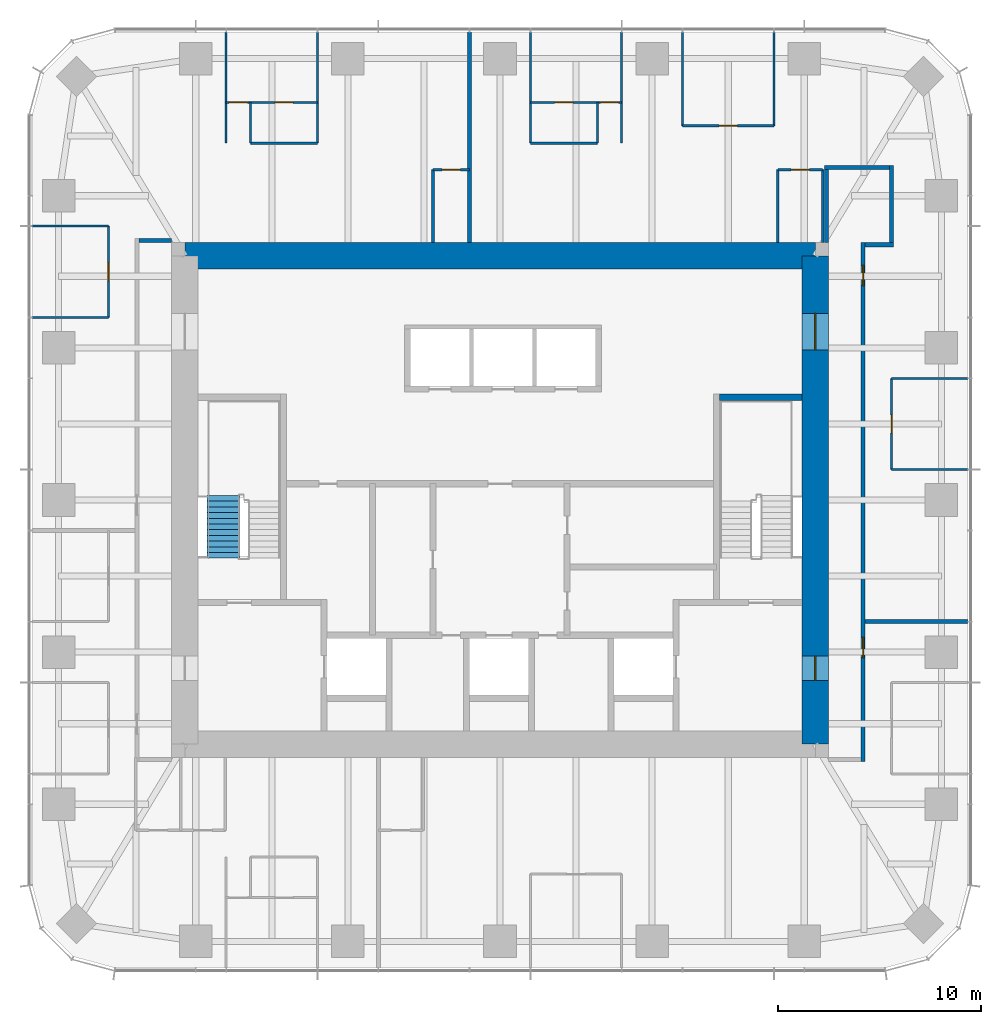
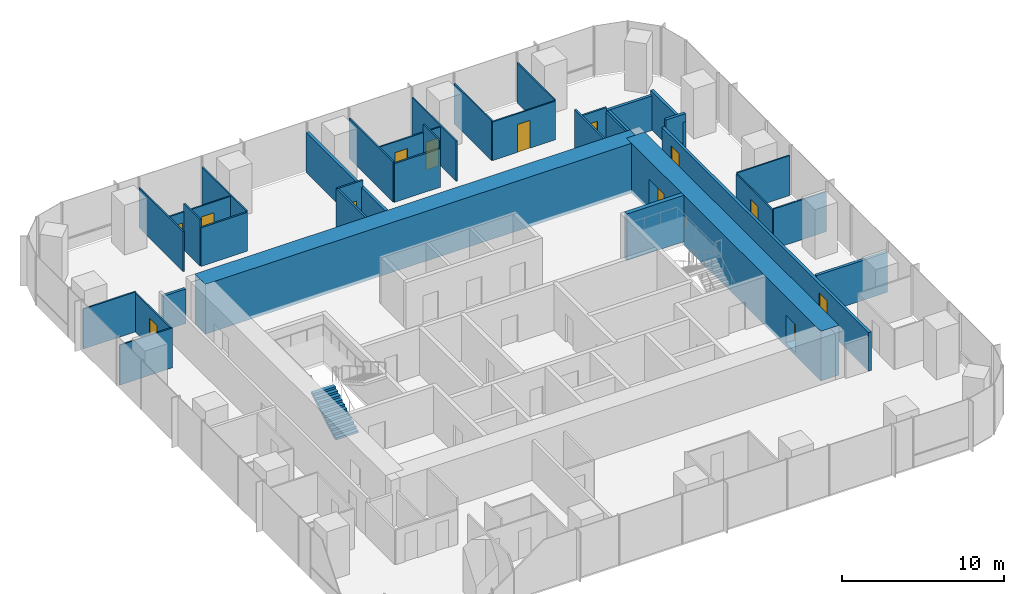
# One storey, part 10 of 12: 35 walls, 13 doors, 1 stair flight, 13 openings, 1 element without a shape of its own.
"""IFC4 building model written with IfcOpenShell, lengths in metres."""

from ifc_helpers import new_model, si_unit, direction, frame, frame_2d, origin, place, context, subcontext, project, spatial, polyline, rectangle, outline, extrude, material, layer, layer_set, type_object, element, fill, aggregate, save


model = new_model("IFC4")

# Units and contexts
model_context = context("Model", 3, precision=1e-05, world=origin(), true_north=direction((0.0, 1.0)))
body_context = subcontext(model_context, "Body", "Model", "MODEL_VIEW")
ifc_project = project(units=[si_unit("LENGTHUNIT", "METRE"), si_unit("AREAUNIT", "SQUARE_METRE"), si_unit("VOLUMEUNIT", "CUBIC_METRE"), si_unit("PLANEANGLEUNIT", "RADIAN"), si_unit("MASSUNIT", "GRAM", prefix="KILO")], contexts=[model_context])

# Site, building, storey
site_placement = place(None, origin())
site = spatial("IfcSite", under=ifc_project, at=site_placement, CompositionType="ELEMENT")
building_placement = place(site_placement, origin())
building = spatial("IfcBuilding", under=site, at=building_placement, Name="Khuree Lantern Residences", CompositionType="ELEMENT")
storey_placement = place(building_placement, frame((0.0, 0.0, 334.5)))
storey = spatial("IfcBuildingStorey", under=building, at=storey_placement, Name="L84", CompositionType="ELEMENT", Elevation=334.5)

# Wall
ifc_material_1 = material(Name="Moisture-resistant gypsum board on steel studs", Category="steel")
ifc_layer_1 = layer(ifc_material_1, 0.125)
ifc_layer_set_1 = layer_set([ifc_layer_1], Name="BATHROOM WALL BTW125")
wall_type_1 = type_object("IfcWallType", Name="BATHROOM WALL BTW125", PredefinedType="PARTITIONING", material=ifc_layer_set_1)
wall_1_placement = place(storey_placement, frame((4.783935546875, 17.54638671875, 0.0), z_axis=(0.0, 0.0, 1.0), x_axis=(-1.0, 0.0, 0.0)))
element("IfcWall", 1, at=wall_1_placement, inside=storey, type_object=wall_type_1, Name="L84 BATHROOM WALL 01", PredefinedType="PARTITIONING", context=body_context, shape_type="SweptSolid", body=[
    extrude(rectangle(XDim=3.287841796875, YDim=0.125, at=frame_2d((1.64404296875, 0.0))), origin(), (0.0, 0.0, 1.0), 2.909912109375),
])

# Wall, opening, door
wall_2_placement = place(storey_placement, frame((15.866455078125, 16.246337890625, 0.0), z_axis=(0.0, 0.0, 1.0), x_axis=(-1.0, 0.0, 0.0)))
wall_2 = element("IfcWall", 2, at=wall_2_placement, inside=storey, type_object=wall_type_1, Name="L84 BATHROOM WALL 01", PredefinedType="PARTITIONING", context=body_context, shape_type="SweptSolid", body=[
    extrude(rectangle(XDim=2.199951171875, YDim=0.125, at=frame_2d((1.10009765625, 0.0))), origin(), (0.0, 0.0, 1.0), 2.89990234375),
])
opening_1_placement = place(wall_2_placement, frame((0.64990234375, 0.0, 0.0)))
opening_1 = element("IfcOpeningElement", 3, at=opening_1_placement, cuts=wall_2, Name="Opening 84-024", PredefinedType="OPENING", context=body_context, shape_type="SweptSolid", body=[
    extrude(rectangle(XDim=0.89990234375, YDim=2.10009765625, at=frame_2d((0.449951171875, 1.050048828125))), frame((0.0, 0.072509765625, 0.0), z_axis=(0.0, -1.0, 0.0), x_axis=(1.0, 0.0, 0.0)), (0.0, 0.0, 1.0), 0.14501953125),
])
ifc_material_2 = material(Name="Timber door leaf in hardwood frame", Category="wood")
door_type_1 = type_object("IfcDoorType", Name="BATHROOM DOOR 900X2100", OperationType="SINGLE_SWING_LEFT", PredefinedType="DOOR", material=ifc_material_2)
door_1_placement = place(opening_1_placement, origin())
door_1 = element("IfcDoor", 4, at=door_1_placement, inside=storey, type_object=door_type_1, Name="Bathroom door 84-024", OperationType="SINGLE_SWING_LEFT", OverallHeight=2.10009765625, OverallWidth=0.89990234375, PredefinedType="DOOR", context=body_context, shape_type="SweptSolid", body=[
    extrude(rectangle(XDim=0.89990234375, YDim=2.10009765625, at=frame_2d((0.449951171875, 1.050048828125))), frame((0.0, 0.02490234375, 0.0), z_axis=(0.0, -1.0, 0.0), x_axis=(1.0, 0.0, 0.0)), (0.0, 0.0, 1.0), 0.050048828125),
])
fill(opening_1, door_1)

# Walls
wall_3_placement = place(storey_placement, frame((15.866455078125, 12.64990234375, 0.0), z_axis=(0.0, 0.0, 1.0), x_axis=(0.0, 1.0, 0.0)))
element("IfcWall", 5, at=wall_3_placement, inside=storey, type_object=wall_type_1, Name="L84 BATHROOM WALL 01", PredefinedType="PARTITIONING", context=body_context, shape_type="SweptSolid", body=[
    extrude(rectangle(XDim=3.596435546875, YDim=0.125, at=frame_2d((1.79833984375, 0.0))), origin(), (0.0, 0.0, 1.0), 2.60009765625),
])
wall_4_placement = place(storey_placement, frame((13.66650390625, 12.64990234375, 0.0), z_axis=(0.0, 0.0, 1.0), x_axis=(0.0, 1.0, 0.0)))
element("IfcWall", 6, at=wall_4_placement, inside=storey, type_object=wall_type_1, Name="L84 BATHROOM WALL 01", PredefinedType="PARTITIONING", context=body_context, shape_type="SweptSolid", body=[
    extrude(rectangle(XDim=3.596435546875, YDim=0.125, at=frame_2d((1.79833984375, 0.0))), origin(), (0.0, 0.0, 1.0), 3.5),
])
wall_5_placement = place(storey_placement, frame((-8.97607421875, 17.54638671875, 0.0), z_axis=(0.0, 0.0, 1.0), x_axis=(-1.0, 0.0, 0.0)))
element("IfcWall", 7, at=wall_5_placement, inside=storey, type_object=wall_type_1, Name="L84 BATHROOM WALL 02", PredefinedType="PARTITIONING", context=body_context, shape_type="SweptSolid", body=[
    extrude(rectangle(XDim=3.287841796875, YDim=0.125, at=frame_2d((1.64404296875, 0.0))), origin(), (0.0, 0.0, 1.0), 2.909912109375),
])

# Wall, opening, door
wall_6_placement = place(storey_placement, frame((-1.49609375, 16.246337890625, 0.0), z_axis=(0.0, 0.0, 1.0), x_axis=(-1.0, 0.0, 0.0)))
wall_6 = element("IfcWall", 8, at=wall_6_placement, inside=storey, type_object=wall_type_1, Name="L84 BATHROOM WALL 02", PredefinedType="PARTITIONING", context=body_context, shape_type="SweptSolid", body=[
    extrude(rectangle(XDim=1.7998046875, YDim=0.125, at=frame_2d((0.89990234375, 0.0))), origin(), (0.0, 0.0, 1.0), 3.5),
])
opening_2_placement = place(wall_6_placement, frame((0.449951171875, 0.0, 0.0)))
opening_2 = element("IfcOpeningElement", 9, at=opening_2_placement, cuts=wall_6, Name="Opening 84-029", PredefinedType="OPENING", context=body_context, shape_type="SweptSolid", body=[
    extrude(rectangle(XDim=0.89990234375, YDim=2.10009765625, at=frame_2d((0.449951171875, 1.050048828125))), frame((0.0, 0.072509765625, 0.0), z_axis=(0.0, -1.0, 0.0), x_axis=(1.0, 0.0, 0.0)), (0.0, 0.0, 1.0), 0.14501953125),
])
door_2_placement = place(opening_2_placement, origin())
door_2 = element("IfcDoor", 10, at=door_2_placement, inside=storey, type_object=door_type_1, Name="Bathroom door 84-029", OperationType="SINGLE_SWING_LEFT", OverallHeight=2.10009765625, OverallWidth=0.89990234375, PredefinedType="DOOR", context=body_context, shape_type="SweptSolid", body=[
    extrude(rectangle(XDim=0.89990234375, YDim=2.10009765625, at=frame_2d((0.449951171875, 1.050048828125))), frame((0.0, 0.02490234375, 0.0), z_axis=(0.0, -1.0, 0.0), x_axis=(1.0, 0.0, 0.0)), (0.0, 0.0, 1.0), 0.050048828125),
])
fill(opening_2, door_2)

# Walls
wall_7_placement = place(storey_placement, frame((-3.2958984375, 12.64990234375, 0.0), z_axis=(0.0, 0.0, 1.0), x_axis=(0.0, 1.0, 0.0)))
element("IfcWall", 11, at=wall_7_placement, inside=storey, type_object=wall_type_1, Name="L84 BATHROOM WALL 02", PredefinedType="PARTITIONING", context=body_context, shape_type="SweptSolid", body=[
    extrude(rectangle(XDim=3.596435546875, YDim=0.125, at=frame_2d((1.79833984375, 0.0))), origin(), (0.0, 0.0, 1.0), 3.5),
])
ifc_material_3 = material(Name="Gypsum board on steel studs", Category="steel")
ifc_layer_2 = layer(ifc_material_3, 0.199951171875)
ifc_layer_set_2 = layer_set([ifc_layer_2], Name="CORRIDOR WALL CRW200 EI 60")
wall_type_2 = type_object("IfcWallType", Name="CORRIDOR WALL CRW200 EI 60", PredefinedType="PARTITIONING", material=ifc_layer_set_2)
wall_8_placement = place(storey_placement, frame((17.949951171875, 12.550048828125, 0.0), z_axis=(0.0, 0.0, 1.0), x_axis=(1.0, 0.0, 0.0)))
element("IfcWall", 12, at=wall_8_placement, inside=storey, type_object=wall_type_2, Name="L84 RESIDENTS LOUNGE WALL", PredefinedType="PARTITIONING", context=body_context, shape_type="SweptSolid", body=[
    extrude(rectangle(XDim=1.400146484375, YDim=0.199951171875, at=frame_2d((0.7001953125, 0.0))), origin(), (0.0, 0.0, 1.0), 3.5),
])
wall_9_placement = place(storey_placement, frame((19.25, 12.449951171875, 0.0), z_axis=(0.0, 0.0, 1.0), x_axis=(0.0, 1.0, 0.0)))
element("IfcWall", 13, at=wall_9_placement, inside=storey, type_object=wall_type_2, Name="L84 RESIDENTS LOUNGE WALL", PredefinedType="PARTITIONING", context=body_context, shape_type="SweptSolid", body=[
    extrude(rectangle(XDim=4.0, YDim=0.199951171875, at=frame_2d((2.0, 0.0))), origin(), (0.0, 0.0, 1.0), 2.89990234375),
])
wall_10_placement = place(storey_placement, frame((19.14990234375, 16.35009765625, 0.0), z_axis=(0.0, 0.0, 1.0), x_axis=(-1.0, 0.0, 0.0)))
element("IfcWall", 14, at=wall_10_placement, inside=storey, type_object=wall_type_2, Name="L84 RESIDENTS LOUNGE WALL", PredefinedType="PARTITIONING", context=body_context, shape_type="SweptSolid", body=[
    extrude(rectangle(XDim=3.199951171875, YDim=0.199951171875, at=frame_2d((1.60009765625, 0.0))), origin(), (0.0, 0.0, 1.0), 2.60009765625),
])
wall_11_placement = place(storey_placement, frame((16.050048828125, 16.449951171875, 0.0), z_axis=(0.0, 0.0, 1.0), x_axis=(0.0, -1.0, 0.0)))
element("IfcWall", 15, at=wall_11_placement, inside=storey, type_object=wall_type_2, Name="L84 RESIDENTS LOUNGE WALL", PredefinedType="PARTITIONING", context=body_context, shape_type="SweptSolid", body=[
    extrude(rectangle(XDim=3.800048828125, YDim=0.199951171875, at=frame_2d((1.89990234375, 0.0))), origin(), (0.0, 0.0, 1.0), 2.60009765625),
])
wall_12_placement = place(storey_placement, frame((-16.14990234375, 12.75, 0.0), z_axis=(0.0, 0.0, 1.0), x_axis=(-1.0, 0.0, 0.0)))
element("IfcWall", 16, at=wall_12_placement, inside=storey, type_object=wall_type_2, Name="L84 WEST CORRIDOR NORTH END WALL", PredefinedType="PARTITIONING", context=body_context, shape_type="SweptSolid", body=[
    extrude(rectangle(XDim=1.60009765625, YDim=0.199951171875, at=frame_2d((0.800048828125, 0.0))), origin(), (0.0, 0.0, 1.0), 2.60009765625),
])

# Wall, openings, doors
wall_13_placement = place(storey_placement, frame((17.85009765625, -12.85009765625, 0.0), z_axis=(0.0, 0.0, 1.0), x_axis=(0.0, 1.0, 0.0)))
wall_13 = element("IfcWall", 17, at=wall_13_placement, inside=storey, type_object=wall_type_2, Name="L84 CORRIDOR WALL EAST 1", PredefinedType="PARTITIONING", context=body_context, shape_type="SweptSolid", body=[
    extrude(rectangle(XDim=25.5, YDim=0.199951171875, at=frame_2d((12.75, 0.0))), origin(), (0.0, 0.0, 1.0), 2.89990234375),
])
opening_3_placement = place(wall_13_placement, frame((23.385986328125, 0.0, 0.0)))
opening_3 = element("IfcOpeningElement", 18, at=opening_3_placement, cuts=wall_13, Name="Opening 84-025", PredefinedType="OPENING", context=body_context, shape_type="SweptSolid", body=[
    extrude(rectangle(XDim=1.0, YDim=2.199951171875, at=frame_2d((0.5, 1.10009765625))), frame((0.0, 0.10986328125, 0.0), z_axis=(0.0, -1.0, 0.0), x_axis=(1.0, 0.0, 0.0)), (0.0, 0.0, 1.0), 0.219970703125),
])
opening_4_placement = place(wall_13_placement, frame((5.10009765625, 0.0, 0.0)))
opening_4 = element("IfcOpeningElement", 19, at=opening_4_placement, cuts=wall_13, Name="Opening 84-041", PredefinedType="OPENING", context=body_context, shape_type="SweptSolid", body=[
    extrude(rectangle(XDim=1.0, YDim=2.199951171875, at=frame_2d((0.5, 1.10009765625))), frame((0.0, 0.10986328125, 0.0), z_axis=(0.0, -1.0, 0.0), x_axis=(1.0, 0.0, 0.0)), (0.0, 0.0, 1.0), 0.219970703125),
])
door_type_2 = type_object("IfcDoorType", Name="APARTMENT ENTRANCE DOOR 1000X2200 EI 30S", OperationType="SINGLE_SWING_LEFT", PredefinedType="DOOR", material=ifc_material_2)
door_3_placement = place(opening_3_placement, origin())
door_3 = element("IfcDoor", 20, at=door_3_placement, inside=storey, type_object=door_type_2, Name="Apartment 01 entrance door 84-025", OperationType="SINGLE_SWING_LEFT", OverallHeight=2.199951171875, OverallWidth=1.0, PredefinedType="DOOR", context=body_context, shape_type="SweptSolid", body=[
    extrude(rectangle(XDim=1.0, YDim=2.199951171875, at=frame_2d((0.5, 1.10009765625))), frame((0.0, 0.02490234375, 0.0), z_axis=(0.0, -1.0, 0.0), x_axis=(1.0, 0.0, 0.0)), (0.0, 0.0, 1.0), 0.050048828125),
])
fill(opening_3, door_3)
door_4_placement = place(opening_4_placement, origin())
door_4 = element("IfcDoor", 21, at=door_4_placement, inside=storey, type_object=door_type_2, Name="Apartment 04 entrance door 84-041", OperationType="SINGLE_SWING_LEFT", OverallHeight=2.199951171875, OverallWidth=1.0, PredefinedType="DOOR", context=body_context, shape_type="SweptSolid", body=[
    extrude(rectangle(XDim=1.0, YDim=2.199951171875, at=frame_2d((0.5, 1.10009765625))), frame((0.0, 0.02490234375, 0.0), z_axis=(0.0, -1.0, 0.0), x_axis=(1.0, 0.0, 0.0)), (0.0, 0.0, 1.0), 0.050048828125),
])
fill(opening_4, door_4)

ifc_material_4 = material(Name="Concrete C50/60", Category="concrete")
ifc_layer_3 = layer(ifc_material_4, 1.300048828125)
ifc_layer_set_3 = layer_set([ifc_layer_3], Name="CW1300-C50 CORE WALL C50 1300")
wall_type_3 = type_object("IfcWallType", Name="CW1300-C50 CORE WALL C50 1300", PredefinedType="SHEAR", material=ifc_layer_set_3)
wall_14_placement = place(storey_placement, frame((15.5, -12.0, -0.25), z_axis=(0.0, 0.0, 1.0), x_axis=(0.0, 1.0, 0.0)))
wall_14 = element("IfcWall", 22, at=wall_14_placement, inside=storey, type_object=wall_type_3, Name="Core wall E", PredefinedType="SHEAR", context=body_context, shape_type="SweptSolid", body=[
    extrude(rectangle(XDim=24.0, YDim=1.300048828125, at=frame_2d((12.0, 0.0))), origin(), (0.0, 0.0, 1.0), 3.75),
])
opening_5_placement = place(wall_14_placement, frame((3.125, 0.0, 0.25)))
opening_5 = element("IfcOpeningElement", 23, at=opening_5_placement, cuts=wall_14, Name="Opening 84-005", PredefinedType="OPENING", context=body_context, shape_type="SweptSolid", body=[
    extrude(rectangle(XDim=1.199951171875, YDim=2.10009765625, at=frame_2d((0.60009765625, 1.050048828125))), frame((0.0, 0.66015625, 0.0), z_axis=(0.0, -1.0, 0.0), x_axis=(1.0, 0.0, 0.0)), (0.0, 0.0, 1.0), 1.320068359375),
])
opening_6_placement = place(wall_14_placement, frame((19.375, 0.0, 0.25)))
opening_6 = element("IfcOpeningElement", 24, at=opening_6_placement, cuts=wall_14, Name="Opening 84-006", PredefinedType="OPENING", context=body_context, shape_type="SweptSolid", body=[
    extrude(rectangle(XDim=1.800048828125, YDim=2.10009765625, at=frame_2d((0.89990234375, 1.050048828125))), frame((0.0, 0.66015625, 0.0), z_axis=(0.0, -1.0, 0.0), x_axis=(1.0, 0.0, 0.0)), (0.0, 0.0, 1.0), 1.320068359375),
])
ifc_material_5 = material(Name="Steel door leaf in steel frame", Category="steel")
door_type_3 = type_object("IfcDoorType", Name="LOBBY DOOR 1200X2100 EI 120", OperationType="SINGLE_SWING_LEFT", PredefinedType="DOOR", material=ifc_material_5)
door_5_placement = place(opening_5_placement, origin())
door_5 = element("IfcDoor", 25, at=door_5_placement, inside=storey, type_object=door_type_3, Name="Firefighting lobby door 84-005", OperationType="SINGLE_SWING_LEFT", OverallHeight=2.10009765625, OverallWidth=1.199951171875, PredefinedType="DOOR", context=body_context, shape_type="SweptSolid", body=[
    extrude(rectangle(XDim=1.199951171875, YDim=2.10009765625, at=frame_2d((0.60009765625, 1.050048828125))), frame((0.0, 0.02490234375, 0.0), z_axis=(0.0, -1.0, 0.0), x_axis=(1.0, 0.0, 0.0)), (0.0, 0.0, 1.0), 0.050048828125),
])
fill(opening_5, door_5)
door_type_4 = type_object("IfcDoorType", Name="LOBBY DOUBLE DOOR 1800X2100 EI 60", OperationType="DOUBLE_DOOR_SINGLE_SWING", PredefinedType="DOOR", material=ifc_material_5)
door_6_placement = place(opening_6_placement, origin())
door_6 = element("IfcDoor", 26, at=door_6_placement, inside=storey, type_object=door_type_4, Name="Lift lobby door 84-006", OperationType="DOUBLE_DOOR_SINGLE_SWING", OverallHeight=2.10009765625, OverallWidth=1.800048828125, PredefinedType="DOOR", context=body_context, shape_type="SweptSolid", body=[
    extrude(rectangle(XDim=1.800048828125, YDim=2.10009765625, at=frame_2d((0.89990234375, 1.050048828125))), frame((0.0, 0.02490234375, 0.0), z_axis=(0.0, -1.0, 0.0), x_axis=(1.0, 0.0, 0.0)), (0.0, 0.0, 1.0), 0.050048828125),
])
fill(opening_6, door_6)

# Walls
wall_15_placement = place(storey_placement, frame((-15.5, 12.0, -0.25), z_axis=(0.0, 0.0, 1.0), x_axis=(1.0, 0.0, 0.0)))
element("IfcWall", 27, at=wall_15_placement, inside=storey, type_object=wall_type_3, Name="Core wall N", PredefinedType="SHEAR", context=body_context, shape_type="SweptSolid", body=[
    extrude(rectangle(XDim=31.0, YDim=1.300048828125, at=frame_2d((15.5, 0.0))), origin(), (0.0, 0.0, 1.0), 3.75),
])
ifc_layer_4 = layer(ifc_material_3, 0.199951171875)
ifc_layer_set_4 = layer_set([ifc_layer_4], Name="DEMISING WALL DMW200 EI 90")
wall_type_4 = type_object("IfcWallType", Name="DEMISING WALL DMW200 EI 90", PredefinedType="PARTITIONING", material=ifc_layer_set_4)
wall_16_placement = place(storey_placement, frame((17.949951171875, -5.98388671875, 0.0), z_axis=(0.0, 0.0, 1.0), x_axis=(1.0, 0.0, 0.0)))
element("IfcWall", 28, at=wall_16_placement, inside=storey, type_object=wall_type_4, Name="L84 DEMISING WALL 01", PredefinedType="PARTITIONING", context=body_context, shape_type="SweptSolid", body=[
    extrude(rectangle(XDim=5.050048828125, YDim=0.199951171875, at=frame_2d((2.52490234375, 0.0))), origin(), (0.0, 0.0, 1.0), 3.010009765625),
])
wall_17_placement = place(storey_placement, frame((-1.49609375, 12.64990234375, 0.0), z_axis=(0.0, 0.0, 1.0), x_axis=(0.0, 1.0, 0.0)))
element("IfcWall", 29, at=wall_17_placement, inside=storey, type_object=wall_type_4, Name="L84 DEMISING WALL 02", PredefinedType="PARTITIONING", context=body_context, shape_type="SweptSolid", body=[
    extrude(rectangle(XDim=10.35009765625, YDim=0.199951171875, at=frame_2d((5.175048828125, 0.0))), origin(), (0.0, 0.0, 1.0), 3.010009765625),
])
ifc_layer_5 = layer(ifc_material_3, 0.10009765625)
ifc_layer_set_5 = layer_set([ifc_layer_5], Name="PARTITION PT100")
wall_type_5 = type_object("IfcWallType", Name="PARTITION PT100", PredefinedType="PARTITIONING", material=ifc_layer_set_5)
for number, where, z_axis, x_axis, name in (
    (30, (19.25, 1.49609375, 0.0), (0.0, 0.0, 1.0), (1.0, 0.0, 0.0), "L84 PARTITION 01"),
    (31, (19.25, 5.98388671875, 0.0), (0.0, 0.0, 1.0), (1.0, 0.0, 0.0), "L84 PARTITION 01"),
):
    element("IfcWall", number, at=place(storey_placement, frame(where, z_axis=z_axis, x_axis=x_axis)), inside=storey, type_object=wall_type_5, Name=name, PredefinedType="PARTITIONING", context=body_context, shape_type="SweptSolid", body=[
        extrude(rectangle(XDim=3.75, YDim=0.10009765625, at=frame_2d((1.875, 0.0))), origin(), (0.0, 0.0, 1.0), 3.010009765625),
    ])
for number, where, z_axis, x_axis, name in (
    (32, (13.464111328125, 18.39990234375, 0.0), (0.0, 0.0, 1.0), (0.0, 1.0, 0.0), "L84 PARTITION 01"),
    (33, (8.97607421875, 18.39990234375, 0.0), (0.0, 0.0, 1.0), (0.0, 1.0, 0.0), "L84 PARTITION 01"),
):
    element("IfcWall", number, at=place(storey_placement, frame(where, z_axis=z_axis, x_axis=x_axis)), inside=storey, type_object=wall_type_5, Name=name, PredefinedType="PARTITIONING", context=body_context, shape_type="SweptSolid", body=[
        extrude(rectangle(XDim=4.60009765625, YDim=0.10009765625, at=frame_2d((2.300048828125, 0.0))), origin(), (0.0, 0.0, 1.0), 3.010009765625),
    ])
for number, where, z_axis, x_axis, name in (
    (34, (5.98388671875, 17.54638671875, 0.0), (0.0, 0.0, 1.0), (0.0, 1.0, 0.0), "L84 PARTITION 01"),
    (35, (1.49609375, 17.54638671875, 0.0), (0.0, 0.0, 1.0), (0.0, 1.0, 0.0), "L84 PARTITION 01"),
    (36, (-8.97607421875, 17.54638671875, 0.0), (0.0, 0.0, 1.0), (0.0, 1.0, 0.0), "L84 PARTITION 02"),
    (37, (-13.464111328125, 17.54638671875, 0.0), (0.0, 0.0, 1.0), (0.0, 1.0, 0.0), "L84 PARTITION 02"),
):
    element("IfcWall", number, at=place(storey_placement, frame(where, z_axis=z_axis, x_axis=x_axis)), inside=storey, type_object=wall_type_5, Name=name, PredefinedType="PARTITIONING", context=body_context, shape_type="SweptSolid", body=[
        extrude(rectangle(XDim=5.45361328125, YDim=0.10009765625, at=frame_2d((2.726806640625, 0.0))), origin(), (0.0, 0.0, 1.0), 3.010009765625),
    ])
for number, where, z_axis, x_axis, name in (
    (38, (-19.25, 13.464111328125, 0.0), (0.0, 0.0, 1.0), (-1.0, 0.0, 0.0), "L84 PARTITION 02"),
    (39, (-19.25, 8.97607421875, 0.0), (0.0, 0.0, 1.0), (-1.0, 0.0, 0.0), "L84 PARTITION 02"),
):
    element("IfcWall", number, at=place(storey_placement, frame(where, z_axis=z_axis, x_axis=x_axis)), inside=storey, type_object=wall_type_5, Name=name, PredefinedType="PARTITIONING", context=body_context, shape_type="SweptSolid", body=[
        extrude(rectangle(XDim=3.75, YDim=0.10009765625, at=frame_2d((1.875, 0.0))), origin(), (0.0, 0.0, 1.0), 3.010009765625),
    ])

# Wall, opening, door
wall_18_placement = place(storey_placement, frame((19.25, 1.49609375, 0.0), z_axis=(0.0, 0.0, 1.0), x_axis=(0.0, 1.0, 0.0)))
wall_18 = element("IfcWall", 40, at=wall_18_placement, inside=storey, type_object=wall_type_5, Name="L84 PARTITION 01", PredefinedType="PARTITIONING", context=body_context, shape_type="SweptSolid", body=[
    extrude(rectangle(XDim=4.48779296875, YDim=0.10009765625, at=frame_2d((2.243896484375, 0.0))), origin(), (0.0, 0.0, 1.0), 2.909912109375),
])
opening_7_placement = place(wall_18_placement, frame((1.7939453125, 0.0, 0.0)))
opening_7 = element("IfcOpeningElement", 41, at=opening_7_placement, cuts=wall_18, Name="Opening 84-020", PredefinedType="OPENING", context=body_context, shape_type="SweptSolid", body=[
    extrude(rectangle(XDim=0.89990234375, YDim=2.10009765625, at=frame_2d((0.449951171875, 1.050048828125))), frame((0.0, 0.06005859375, 0.0), z_axis=(0.0, -1.0, 0.0), x_axis=(1.0, 0.0, 0.0)), (0.0, 0.0, 1.0), 0.1201171875),
])
door_type_5 = type_object("IfcDoorType", Name="BEDROOM DOOR 900X2100", OperationType="SINGLE_SWING_LEFT", PredefinedType="DOOR", material=ifc_material_2)
door_7_placement = place(opening_7_placement, origin())
door_7 = element("IfcDoor", 42, at=door_7_placement, inside=storey, type_object=door_type_5, Name="Bedroom door 84-020", OperationType="SINGLE_SWING_LEFT", OverallHeight=2.10009765625, OverallWidth=0.89990234375, PredefinedType="DOOR", context=body_context, shape_type="SweptSolid", body=[
    extrude(rectangle(XDim=0.89990234375, YDim=2.10009765625, at=frame_2d((0.449951171875, 1.050048828125))), frame((0.0, 0.02490234375, 0.0), z_axis=(0.0, -1.0, 0.0), x_axis=(1.0, 0.0, 0.0)), (0.0, 0.0, 1.0), 0.050048828125),
])
fill(opening_7, door_7)

wall_19_placement = place(storey_placement, frame((13.464111328125, 18.39990234375, 0.0), z_axis=(0.0, 0.0, 1.0), x_axis=(-1.0, 0.0, 0.0)))
wall_19 = element("IfcWall", 43, at=wall_19_placement, inside=storey, type_object=wall_type_5, Name="L84 PARTITION 01", PredefinedType="PARTITIONING", context=body_context, shape_type="SweptSolid", body=[
    extrude(rectangle(XDim=4.488037109375, YDim=0.10009765625, at=frame_2d((2.244140625, 0.0))), origin(), (0.0, 0.0, 1.0), 2.909912109375),
])
opening_8_placement = place(wall_19_placement, frame((1.7939453125, 0.0, 0.0)))
opening_8 = element("IfcOpeningElement", 44, at=opening_8_placement, cuts=wall_19, Name="Opening 84-021", PredefinedType="OPENING", context=body_context, shape_type="SweptSolid", body=[
    extrude(rectangle(XDim=0.89990234375, YDim=2.10009765625, at=frame_2d((0.449951171875, 1.050048828125))), frame((0.0, 0.06005859375, 0.0), z_axis=(0.0, -1.0, 0.0), x_axis=(1.0, 0.0, 0.0)), (0.0, 0.0, 1.0), 0.1201171875),
])
door_8_placement = place(opening_8_placement, origin())
door_8 = element("IfcDoor", 45, at=door_8_placement, inside=storey, type_object=door_type_5, Name="Bedroom door 84-021", OperationType="SINGLE_SWING_LEFT", OverallHeight=2.10009765625, OverallWidth=0.89990234375, PredefinedType="DOOR", context=body_context, shape_type="SweptSolid", body=[
    extrude(rectangle(XDim=0.89990234375, YDim=2.10009765625, at=frame_2d((0.449951171875, 1.050048828125))), frame((0.0, 0.02490234375, 0.0), z_axis=(0.0, -1.0, 0.0), x_axis=(1.0, 0.0, 0.0)), (0.0, 0.0, 1.0), 0.050048828125),
])
fill(opening_8, door_8)

# Wall, openings, doors
wall_20_placement = place(storey_placement, frame((5.98388671875, 19.54638671875, 0.0), z_axis=(0.0, 0.0, 1.0), x_axis=(-1.0, 0.0, 0.0)))
wall_20 = element("IfcWall", 46, at=wall_20_placement, inside=storey, type_object=wall_type_5, Name="L84 PARTITION 01", PredefinedType="PARTITIONING", context=body_context, shape_type="SweptSolid", body=[
    extrude(rectangle(XDim=4.48779296875, YDim=0.10009765625, at=frame_2d((2.243896484375, 0.0))), origin(), (0.0, 0.0, 1.0), 2.909912109375),
])
opening_9_placement = place(wall_20_placement, frame((0.14990234375, 0.0, 0.0)))
opening_9 = element("IfcOpeningElement", 47, at=opening_9_placement, cuts=wall_20, Name="Opening 84-022", PredefinedType="OPENING", context=body_context, shape_type="SweptSolid", body=[
    extrude(rectangle(XDim=0.89990234375, YDim=2.10009765625, at=frame_2d((0.449951171875, 1.050048828125))), frame((0.0, 0.06005859375, 0.0), z_axis=(0.0, -1.0, 0.0), x_axis=(1.0, 0.0, 0.0)), (0.0, 0.0, 1.0), 0.1201171875),
])
opening_10_placement = place(wall_20_placement, frame((2.39404296875, 0.0, 0.0)))
opening_10 = element("IfcOpeningElement", 48, at=opening_10_placement, cuts=wall_20, Name="Opening 84-023", PredefinedType="OPENING", context=body_context, shape_type="SweptSolid", body=[
    extrude(rectangle(XDim=0.89990234375, YDim=2.10009765625, at=frame_2d((0.449951171875, 1.050048828125))), frame((0.0, 0.06005859375, 0.0), z_axis=(0.0, -1.0, 0.0), x_axis=(1.0, 0.0, 0.0)), (0.0, 0.0, 1.0), 0.1201171875),
])
door_9_placement = place(opening_10_placement, origin())
door_9 = element("IfcDoor", 49, at=door_9_placement, inside=storey, type_object=door_type_1, Name="Bathroom door 84-023", OperationType="SINGLE_SWING_LEFT", OverallHeight=2.10009765625, OverallWidth=0.89990234375, PredefinedType="DOOR", context=body_context, shape_type="SweptSolid", body=[
    extrude(rectangle(XDim=0.89990234375, YDim=2.10009765625, at=frame_2d((0.449951171875, 1.050048828125))), frame((0.0, 0.02490234375, 0.0), z_axis=(0.0, -1.0, 0.0), x_axis=(1.0, 0.0, 0.0)), (0.0, 0.0, 1.0), 0.050048828125),
])
fill(opening_10, door_9)
door_10_placement = place(opening_9_placement, origin())
door_10 = element("IfcDoor", 50, at=door_10_placement, inside=storey, type_object=door_type_5, Name="Bedroom door 84-022", OperationType="SINGLE_SWING_LEFT", OverallHeight=2.10009765625, OverallWidth=0.89990234375, PredefinedType="DOOR", context=body_context, shape_type="SweptSolid", body=[
    extrude(rectangle(XDim=0.89990234375, YDim=2.10009765625, at=frame_2d((0.449951171875, 1.050048828125))), frame((0.0, 0.02490234375, 0.0), z_axis=(0.0, -1.0, 0.0), x_axis=(1.0, 0.0, 0.0)), (0.0, 0.0, 1.0), 0.050048828125),
])
fill(opening_9, door_10)

# Wall
wall_21_placement = place(storey_placement, frame((4.783935546875, 17.54638671875, 0.0), z_axis=(0.0, 0.0, 1.0), x_axis=(0.0, 1.0, 0.0)))
element("IfcWall", 51, at=wall_21_placement, inside=storey, type_object=wall_type_5, Name="L84 PARTITION 01", PredefinedType="PARTITIONING", context=body_context, shape_type="SweptSolid", body=[
    extrude(rectangle(XDim=2.0, YDim=0.10009765625, at=frame_2d((1.0, 0.0))), origin(), (0.0, 0.0, 1.0), 3.5),
])

# Wall, openings, doors
wall_22_placement = place(storey_placement, frame((-8.97607421875, 19.54638671875, 0.0), z_axis=(0.0, 0.0, 1.0), x_axis=(-1.0, 0.0, 0.0)))
wall_22 = element("IfcWall", 52, at=wall_22_placement, inside=storey, type_object=wall_type_5, Name="L84 PARTITION 02", PredefinedType="PARTITIONING", context=body_context, shape_type="SweptSolid", body=[
    extrude(rectangle(XDim=4.488037109375, YDim=0.10009765625, at=frame_2d((2.244140625, 0.0))), origin(), (0.0, 0.0, 1.0), 2.909912109375),
])
opening_11_placement = place(wall_22_placement, frame((3.43798828125, 0.0, 0.0)))
opening_11 = element("IfcOpeningElement", 53, at=opening_11_placement, cuts=wall_22, Name="Opening 84-026", PredefinedType="OPENING", context=body_context, shape_type="SweptSolid", body=[
    extrude(rectangle(XDim=0.89990234375, YDim=2.10009765625, at=frame_2d((0.449951171875, 1.050048828125))), frame((0.0, 0.06005859375, 0.0), z_axis=(0.0, -1.0, 0.0), x_axis=(1.0, 0.0, 0.0)), (0.0, 0.0, 1.0), 0.1201171875),
])
opening_12_placement = place(wall_22_placement, frame((1.194091796875, 0.0, 0.0)))
opening_12 = element("IfcOpeningElement", 54, at=opening_12_placement, cuts=wall_22, Name="Opening 84-027", PredefinedType="OPENING", context=body_context, shape_type="SweptSolid", body=[
    extrude(rectangle(XDim=0.89990234375, YDim=2.10009765625, at=frame_2d((0.449951171875, 1.050048828125))), frame((0.0, 0.06005859375, 0.0), z_axis=(0.0, -1.0, 0.0), x_axis=(1.0, 0.0, 0.0)), (0.0, 0.0, 1.0), 0.1201171875),
])
door_11_placement = place(opening_12_placement, origin())
door_11 = element("IfcDoor", 55, at=door_11_placement, inside=storey, type_object=door_type_1, Name="Bathroom door 84-027", OperationType="SINGLE_SWING_LEFT", OverallHeight=2.10009765625, OverallWidth=0.89990234375, PredefinedType="DOOR", context=body_context, shape_type="SweptSolid", body=[
    extrude(rectangle(XDim=0.89990234375, YDim=2.10009765625, at=frame_2d((0.449951171875, 1.050048828125))), frame((0.0, 0.02490234375, 0.0), z_axis=(0.0, -1.0, 0.0), x_axis=(1.0, 0.0, 0.0)), (0.0, 0.0, 1.0), 0.050048828125),
])
fill(opening_12, door_11)
door_12_placement = place(opening_11_placement, origin())
door_12 = element("IfcDoor", 56, at=door_12_placement, inside=storey, type_object=door_type_5, Name="Bedroom door 84-026", OperationType="SINGLE_SWING_LEFT", OverallHeight=2.10009765625, OverallWidth=0.89990234375, PredefinedType="DOOR", context=body_context, shape_type="SweptSolid", body=[
    extrude(rectangle(XDim=0.89990234375, YDim=2.10009765625, at=frame_2d((0.449951171875, 1.050048828125))), frame((0.0, 0.02490234375, 0.0), z_axis=(0.0, -1.0, 0.0), x_axis=(1.0, 0.0, 0.0)), (0.0, 0.0, 1.0), 0.050048828125),
])
fill(opening_11, door_12)

# Wall
wall_23_placement = place(storey_placement, frame((-12.263916015625, 17.54638671875, 0.0), z_axis=(0.0, 0.0, 1.0), x_axis=(0.0, 1.0, 0.0)))
element("IfcWall", 57, at=wall_23_placement, inside=storey, type_object=wall_type_5, Name="L84 PARTITION 02", PredefinedType="PARTITIONING", context=body_context, shape_type="SweptSolid", body=[
    extrude(rectangle(XDim=2.0, YDim=0.10009765625, at=frame_2d((1.0, 0.0))), origin(), (0.0, 0.0, 1.0), 3.5),
])

# Wall, opening, door
wall_24_placement = place(storey_placement, frame((-19.25, 13.464111328125, 0.0), z_axis=(0.0, 0.0, 1.0), x_axis=(0.0, -1.0, 0.0)))
wall_24 = element("IfcWall", 58, at=wall_24_placement, inside=storey, type_object=wall_type_5, Name="L84 PARTITION 02", PredefinedType="PARTITIONING", context=body_context, shape_type="SweptSolid", body=[
    extrude(rectangle(XDim=4.488037109375, YDim=0.10009765625, at=frame_2d((2.244140625, 0.0))), origin(), (0.0, 0.0, 1.0), 2.909912109375),
])
opening_13_placement = place(wall_24_placement, frame((1.7939453125, 0.0, 0.0)))
opening_13 = element("IfcOpeningElement", 59, at=opening_13_placement, cuts=wall_24, Name="Opening 84-028", PredefinedType="OPENING", context=body_context, shape_type="SweptSolid", body=[
    extrude(rectangle(XDim=0.89990234375, YDim=2.10009765625, at=frame_2d((0.449951171875, 1.050048828125))), frame((0.0, 0.06005859375, 0.0), z_axis=(0.0, -1.0, 0.0), x_axis=(1.0, 0.0, 0.0)), (0.0, 0.0, 1.0), 0.1201171875),
])
door_13_placement = place(opening_13_placement, origin())
door_13 = element("IfcDoor", 60, at=door_13_placement, inside=storey, type_object=door_type_5, Name="Bedroom door 84-028", OperationType="SINGLE_SWING_LEFT", OverallHeight=2.10009765625, OverallWidth=0.89990234375, PredefinedType="DOOR", context=body_context, shape_type="SweptSolid", body=[
    extrude(rectangle(XDim=0.89990234375, YDim=2.10009765625, at=frame_2d((0.449951171875, 1.050048828125))), frame((0.0, 0.02490234375, 0.0), z_axis=(0.0, -1.0, 0.0), x_axis=(1.0, 0.0, 0.0)), (0.0, 0.0, 1.0), 0.050048828125),
])
fill(opening_13, door_13)

# Wall
ifc_layer_6 = layer(ifc_material_4, 0.300048828125)
ifc_layer_set_6 = layer_set([ifc_layer_6], Name="STAIR WALL SRW300 C50/60 REI 240")
wall_type_6 = type_object("IfcWallType", Name="STAIR WALL SRW300 C50/60 REI 240", PredefinedType="SOLIDWALL", material=ifc_layer_set_6)
wall_25_placement = place(storey_placement, frame((14.85009765625, 5.050048828125, 0.0), z_axis=(0.0, 0.0, 1.0), x_axis=(-1.0, 0.0, 0.0)))
element("IfcWall", 61, at=wall_25_placement, inside=storey, type_object=wall_type_6, Name="L84 STAIR WALL ST2N", PredefinedType="SOLIDWALL", context=body_context, shape_type="SweptSolid", body=[
    extrude(rectangle(XDim=4.050048828125, YDim=0.300048828125, at=frame_2d((2.02490234375, 0.0))), origin(), (0.0, 0.0, 1.0), 3.5),
])

# Stair, stair flight
ifc_material_6 = material(Name="Concrete C40/50", Category="concrete")
stair_type = type_object("IfcStairType", Name="STAIR ST1 HALF TURN 3600", PredefinedType="HALF_TURN_STAIR", material=ifc_material_6)
stair_placement = place(storey_placement, origin())
stair = element("IfcStair", 62, at=stair_placement, inside=storey, type_object=stair_type, Name="Stair ST1", PredefinedType="HALF_TURN_STAIR")
stair_flight_type = type_object("IfcStairFlightType", Name="STAIR FLIGHT SF1 1600", PredefinedType="STRAIGHT", material=ifc_material_6)
stair_flight_placement = place(storey_placement, frame((-13.60009765625, -2.860107421875, 0.0), z_axis=(0.0, 0.0, 1.0), x_axis=(0.0, 1.0, 0.0)))
stair_flight = element("IfcStairFlight", 63, at=stair_flight_placement, type_object=stair_flight_type, Name="ST1 flight 1", NumberOfRisers=12, NumberOfTreads=11, PredefinedType="STRAIGHT", RiserHeight=0.163043478, TreadLength=0.28, context=body_context, shape_type="SweptSolid", body=[
    extrude(outline(polyline([(0.0, 0.0), (0.0, 0.1630859375), (0.280029296875, 0.1630859375), (0.280029296875, 0.326171875), (0.56005859375, 0.326171875), (0.56005859375, 0.489013671875), (0.840087890625, 0.489013671875), (0.840087890625, 0.652099609375), (1.1201171875, 0.652099609375), (1.1201171875, 0.815185546875), (1.39990234375, 0.815185546875), (1.39990234375, 0.978271484375), (1.679931640625, 0.978271484375), (1.679931640625, 1.141357421875), (1.9599609375, 1.141357421875), (1.9599609375, 1.304443359375), (2.239990234375, 1.304443359375), (2.239990234375, 1.46728515625), (2.52001953125, 1.46728515625), (2.52001953125, 1.63037109375), (2.800048828125, 1.63037109375), (2.800048828125, 1.79345703125), (3.080078125, 1.79345703125), (3.080078125, 1.95654296875), (3.080078125, 1.6201171875), (0.2978515625, 0.0), (0.0, 0.0)])), frame((0.0, 0.800048828125, 0.0), z_axis=(0.0, -1.0, 0.0), x_axis=(1.0, 0.0, 0.0)), (0.0, 0.0, 1.0), 1.60009765625),
])
aggregate(stair, [stair_flight])

save(model, "model.ifc")
